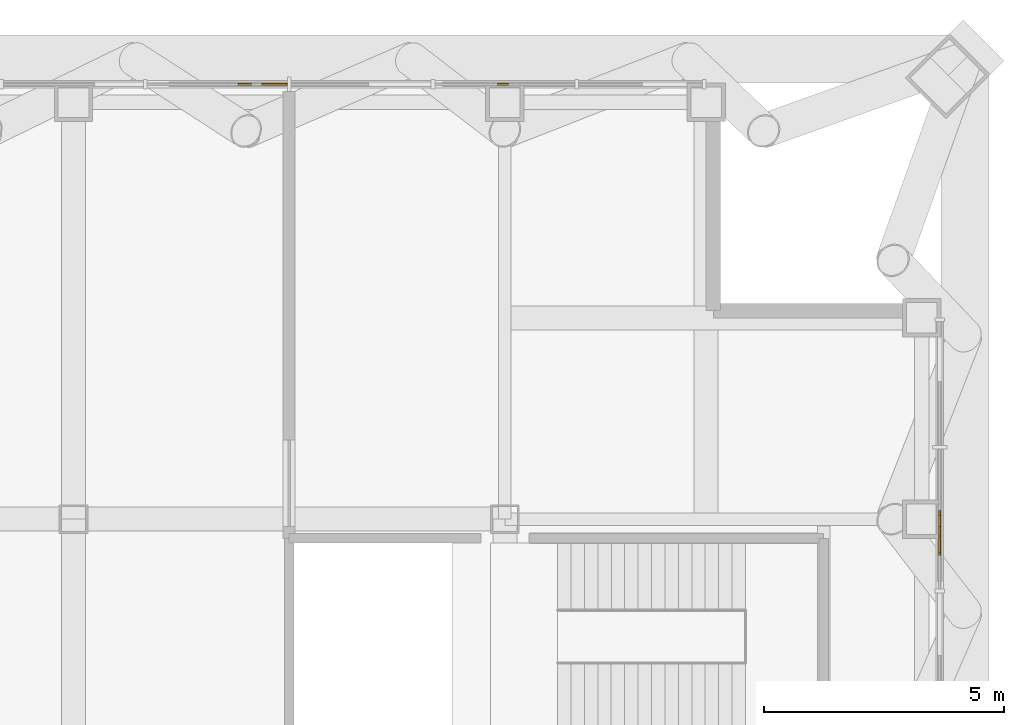
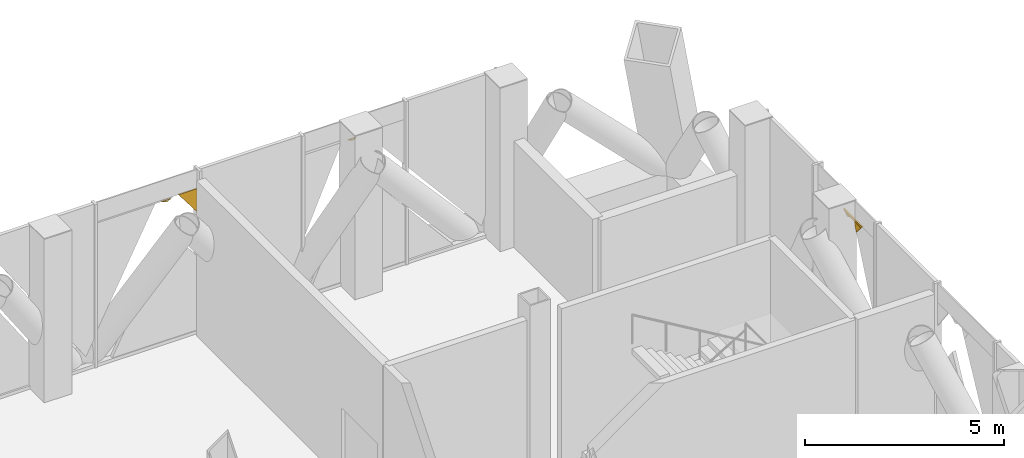
# One storey, part 26 of 27: 6 coverings.
"""IFC4 building model written with IfcOpenShell, lengths in metres."""

from ifc_helpers import new_model, si_unit, direction, frame, origin, place, context, subcontext, project, spatial, polyline, outline, extrude, material, layer, layer_set, type_object, element, save


model = new_model("IFC4")

# Units and contexts
model_context = context("Model", 3, precision=1e-05, world=origin(), true_north=direction((0.0, 1.0)))
body_context = subcontext(model_context, "Body", "Model", "MODEL_VIEW")
ifc_project = project(units=[si_unit("LENGTHUNIT", "METRE"), si_unit("AREAUNIT", "SQUARE_METRE"), si_unit("VOLUMEUNIT", "CUBIC_METRE"), si_unit("PLANEANGLEUNIT", "RADIAN"), si_unit("MASSUNIT", "GRAM", prefix="KILO")], contexts=[model_context])

# Site, building, storey
site_placement = place(None, origin())
site = spatial("IfcSite", under=ifc_project, at=site_placement, CompositionType="ELEMENT")
building_placement = place(site_placement, origin())
building = spatial("IfcBuilding", under=site, at=building_placement, Name="Malebo Sky Hospital", CompositionType="ELEMENT")
storey_placement = place(building_placement, frame((0.0, 0.0, 245.0)))
storey = spatial("IfcBuildingStorey", under=building, at=storey_placement, Name="L59", CompositionType="ELEMENT", Elevation=245.0)

# Coverings
ifc_material = material(Name="Anodised aluminium, natural silver insulated infill panel", Category="aluminium")
ifc_layer = layer(ifc_material, 0.0400390625)
ifc_layer_set = layer_set([ifc_layer], Name="BRACE INFILL PANEL 40")
covering_type = type_object("IfcCoveringType", Name="BRACE INFILL PANEL 40", PredefinedType="CLADDING", material=ifc_layer_set)
covering_1_placement = place(storey_placement, frame((68.692626953125, 84.574951171875, 3.68994140625), z_axis=(0.0, 0.0, 1.0), x_axis=(1.0, 0.0, 0.0)))
element("IfcCovering", 1, at=covering_1_placement, inside=storey, type_object=covering_type, Name="Brace infill panel 9.2", PredefinedType="CLADDING", context=body_context, shape_type="SweptSolid", body=[
    extrude(outline(polyline([(0.27001953125, 0.0), (0.27001953125, 0.7119140625), (-0.27001953125, 0.7119140625), (0.27001953125, 0.0)])), frame((0.0, 0.02001953125, 0.0), z_axis=(0.0, -1.0, 0.0), x_axis=(1.0, 0.0, 0.0)), (0.0, 0.0, 1.0), 0.0400390625),
])
covering_2_placement = place(storey_placement, frame((68.071533203125, 84.574951171875, 4.2919921875), z_axis=(0.0, 0.0, 1.0), x_axis=(1.0, 0.0, 0.0)))
element("IfcCovering", 2, at=covering_2_placement, inside=storey, type_object=covering_type, Name="Brace infill panel 9.4", PredefinedType="CLADDING", context=body_context, shape_type="SweptSolid", body=[
    extrude(outline(polyline([(0.0234375, 0.0), (0.141845703125, 0.068115234375), (-0.141845703125, 0.068115234375), (0.0234375, 0.0)])), frame((0.0, 0.02001953125, 0.0), z_axis=(0.0, -1.0, 0.0), x_axis=(1.0, 0.0, 0.0)), (0.0, 0.0, 1.0), 0.0400390625),
])
covering_3_placement = place(storey_placement, frame((73.4609375, 84.574951171875, 4.29150390625), z_axis=(0.0, 0.0, 1.0), x_axis=(1.0, 0.0, 0.0)))
element("IfcCovering", 3, at=covering_3_placement, inside=storey, type_object=covering_type, Name="Brace infill panel 11.4", PredefinedType="CLADDING", context=body_context, shape_type="SweptSolid", body=[
    extrude(outline(polyline([(0.031005859375, 0.0), (0.114501953125, 0.052978515625), (-0.114501953125, 0.052978515625), (0.031005859375, 0.0)])), frame((0.0, 0.02001953125, 0.0), z_axis=(0.0, -1.0, 0.0), x_axis=(1.0, 0.0, 0.0)), (0.0, 0.0, 1.0), 0.0400390625),
])
covering_4_placement = place(storey_placement, frame((82.574951171875, 74.974609375, 4.074951171875), z_axis=(0.0, 0.0, 1.0), x_axis=(0.0, -1.0, 0.0)))
element("IfcCovering", 4, at=covering_4_placement, inside=storey, type_object=covering_type, Name="Brace infill panel 2.4", PredefinedType="CLADDING", context=body_context, shape_type="SweptSolid", body=[
    extrude(outline(polyline([(-0.055419921875, 0.0), (0.171142578125, 0.26953125), (-0.1708984375, 0.26953125), (-0.055419921875, 0.0)])), frame((0.0, 0.02001953125, 0.0), z_axis=(0.0, -1.0, 0.0), x_axis=(1.0, 0.0, 0.0)), (0.0, 0.0, 1.0), 0.0400390625),
])
covering_5_placement = place(storey_placement, frame((82.574951171875, 75.4609375, 4.29150390625), z_axis=(0.0, 0.0, 1.0), x_axis=(0.0, -1.0, 0.0)))
element("IfcCovering", 5, at=covering_5_placement, inside=storey, type_object=covering_type, Name="Brace infill panel 2.5", PredefinedType="CLADDING", context=body_context, shape_type="SweptSolid", body=[
    extrude(outline(polyline([(-0.031005859375, 0.0), (0.114501953125, 0.052978515625), (-0.114501953125, 0.052978515625), (-0.031005859375, 0.0)])), frame((0.0, 0.02001953125, 0.0), z_axis=(0.0, -1.0, 0.0), x_axis=(1.0, 0.0, 0.0)), (0.0, 0.0, 1.0), 0.0400390625),
])
covering_6_placement = place(storey_placement, frame((82.574951171875, 75.21484375, 4.3447265625), z_axis=(0.0, 0.0, 1.0), x_axis=(0.0, -1.0, 0.0)))
element("IfcCovering", 6, at=covering_6_placement, inside=storey, type_object=covering_type, Name="Brace infill panel 2.6", PredefinedType="CLADDING", context=body_context, shape_type="SweptSolid", body=[
    extrude(outline(polyline([(-0.360595703125, 0.0), (0.41162109375, 0.0), (0.469482421875, 0.069091796875), (-0.469482421875, 0.069091796875), (-0.360595703125, 0.0)])), frame((0.0, 0.02001953125, 0.0), z_axis=(0.0, -1.0, 0.0), x_axis=(1.0, 0.0, 0.0)), (0.0, 0.0, 1.0), 0.0400390625),
])

save(model, "model.ifc")
